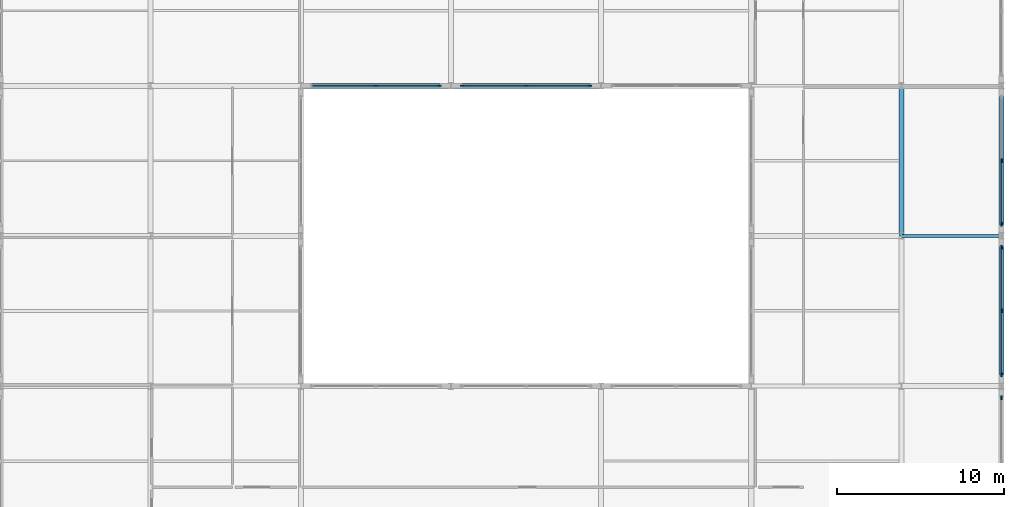
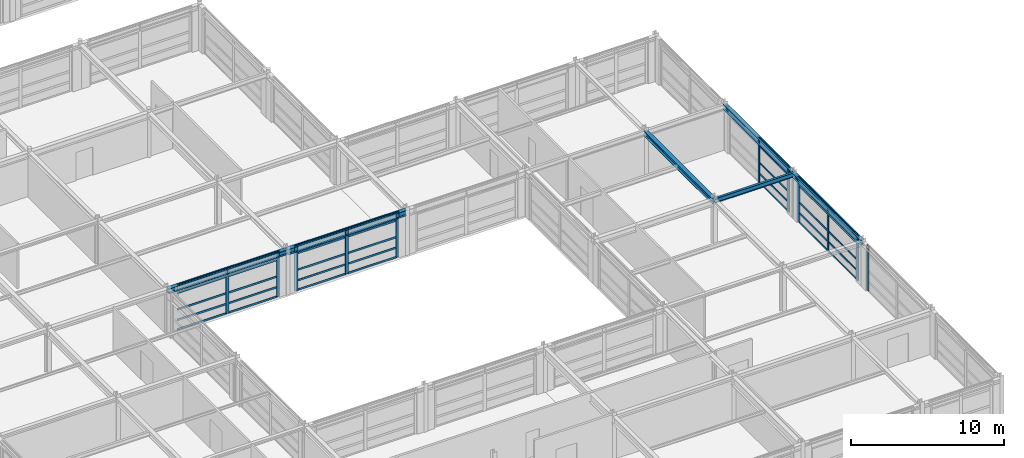
# One storey, part 43 of 79: 46 members, 6 beams, 5 elements without a shape of their own.
"""IFC4 building model written with IfcOpenShell, lengths in metres."""

from ifc_helpers import new_model, si_unit, direction, frame, origin, origin_2d, place, context, subcontext, project, spatial, rectangle, i_section, extrude, material, material_profile, profile_set, type_object, element, aggregate, save


model = new_model("IFC4")

# Units and contexts
model_context = context("Model", 3, precision=1e-05, world=origin(), true_north=direction((0.0, 1.0)))
body_context = subcontext(model_context, "Body", "Model", "MODEL_VIEW")
ifc_project = project(units=[si_unit("LENGTHUNIT", "METRE"), si_unit("AREAUNIT", "SQUARE_METRE"), si_unit("VOLUMEUNIT", "CUBIC_METRE"), si_unit("PLANEANGLEUNIT", "RADIAN"), si_unit("MASSUNIT", "GRAM", prefix="KILO")], contexts=[model_context])

# Site, building, storey
site_placement = place(None, origin())
site = spatial("IfcSite", under=ifc_project, at=site_placement, CompositionType="ELEMENT")
building_placement = place(site_placement, origin())
building = spatial("IfcBuilding", under=site, at=building_placement, Name="Palais des Congres Ocreval", CompositionType="ELEMENT")
storey_placement = place(building_placement, frame((0.0, 0.0, 4.320068359375)))
storey = spatial("IfcBuildingStorey", under=building, at=storey_placement, Name="L01", CompositionType="ELEMENT", Elevation=4.320068359375)

# Beam
ifc_material_1 = material(Name="Steel S355", Category="steel")
ifc_material_profile_1 = material_profile(ifc_material_1, i_section(OverallWidth=0.169921875, OverallDepth=0.360107421875, WebThickness=0.008056640625, FlangeThickness=0.0126953125, at=origin_2d()), Name="IPE 360")
ifc_profile_set_1 = profile_set([ifc_material_profile_1], Name="Steel S355")
beam_type_1 = type_object("IfcBeamType", Name="Composite Beam IPE 360 Steel S355", PredefinedType="BEAM", material=ifc_profile_set_1)
beam_1_placement = place(storey_placement, frame((162.02001953125, 27.0, 3.39990234375), z_axis=(1.0, 0.0, 0.0), x_axis=(0.0, 1.0, 0.0)))
element("IfcBeam", 1, at=beam_1_placement, inside=storey, type_object=beam_type_1, Name="Beam B01 L01", PredefinedType="BEAM", context=body_context, shape_type="SweptSolid", body=[
    extrude(i_section(OverallWidth=0.169921875, OverallDepth=0.360107421875, WebThickness=0.008056640625, FlangeThickness=0.0126953125, at=origin_2d()), origin(), (0.0, 0.0, 1.0), 5.9599609375),
])

# Curtain wall, members
ifc_material_2 = material(Name="Anodized bronze aluminium and low-E glass", Category="glass")
curtain_wall_type = type_object("IfcCurtainWallType", Name="Unitised Curtain Wall 7900x3660", PredefinedType="USERDEFINED", material=ifc_material_2)
curtain_wall_1_placement = place(storey_placement, origin())
curtain_wall_1 = element("IfcCurtainWall", 2, at=curtain_wall_1_placement, inside=storey, type_object=curtain_wall_type, Name="Unitised Curtain Wall CW02 L01", ObjectType="UNITISED CURTAIN WALL", PredefinedType="USERDEFINED")
ifc_material_3 = material(Name="Anodized bronze aluminium", Category="aluminium")
ifc_material_profile_2 = material_profile(ifc_material_3, rectangle(XDim=0.074951171875, YDim=0.239990234375, at=origin_2d()), Name="ALU 75x240")
ifc_profile_set_2 = profile_set([ifc_material_profile_2], Name="Anodized bronze aluminium")
member_type_1 = type_object("IfcMemberType", Name="Curtain Wall Mullion ALU 75x240", PredefinedType="MULLION", material=ifc_profile_set_2)
member_1_placement = place(storey_placement, frame((168.0, 31.5, 0.0), z_axis=(0.0, 0.0, 1.0), x_axis=(1.0, 0.0, 0.0)))
member_1 = element("IfcMember", 3, at=member_1_placement, type_object=member_type_1, Name="Curtain Wall Mullion ML01", PredefinedType="MULLION", context=body_context, shape_type="SweptSolid", body=[
    extrude(rectangle(XDim=0.074951171875, YDim=0.239990234375, at=origin_2d()), origin(), (0.0, 0.0, 1.0), 3.599853515625),
])
member_2_placement = place(storey_placement, frame((168.0, 27.6875, 0.0), z_axis=(0.0, 0.0, 1.0), x_axis=(1.0, 0.0, 0.0)))
member_2 = element("IfcMember", 4, at=member_2_placement, type_object=member_type_1, Name="Curtain Wall Mullion ML01", PredefinedType="MULLION", context=body_context, shape_type="SweptSolid", body=[
    extrude(rectangle(XDim=0.074951171875, YDim=0.239990234375, at=origin_2d()), origin(), (0.0, 0.0, 1.0), 3.599853515625),
])

curtain_wall_2_placement = place(storey_placement, origin())
curtain_wall_2 = element("IfcCurtainWall", 5, at=curtain_wall_2_placement, inside=storey, type_object=curtain_wall_type, Name="Unitised Curtain Wall CW02 L01", ObjectType="UNITISED CURTAIN WALL", PredefinedType="USERDEFINED")
member_3_placement = place(storey_placement, frame((168.0, 26.3125, 0.0), z_axis=(0.0, 0.0, 1.0), x_axis=(1.0, 0.0, 0.0)))
member_3 = element("IfcMember", 6, at=member_3_placement, type_object=member_type_1, Name="Curtain Wall Mullion ML01", PredefinedType="MULLION", context=body_context, shape_type="SweptSolid", body=[
    extrude(rectangle(XDim=0.074951171875, YDim=0.239990234375, at=origin_2d()), origin(), (0.0, 0.0, 1.0), 3.599853515625),
])
member_4_placement = place(storey_placement, frame((168.0, 22.5, 0.0), z_axis=(0.0, 0.0, 1.0), x_axis=(1.0, 0.0, 0.0)))
member_4 = element("IfcMember", 7, at=member_4_placement, type_object=member_type_1, Name="Curtain Wall Mullion ML01", PredefinedType="MULLION", context=body_context, shape_type="SweptSolid", body=[
    extrude(rectangle(XDim=0.074951171875, YDim=0.239990234375, at=origin_2d()), origin(), (0.0, 0.0, 1.0), 3.599853515625),
])
member_5_placement = place(storey_placement, frame((168.0, 18.6875, 0.0), z_axis=(0.0, 0.0, 1.0), x_axis=(1.0, 0.0, 0.0)))
member_5 = element("IfcMember", 8, at=member_5_placement, type_object=member_type_1, Name="Curtain Wall Mullion ML01", PredefinedType="MULLION", context=body_context, shape_type="SweptSolid", body=[
    extrude(rectangle(XDim=0.074951171875, YDim=0.239990234375, at=origin_2d()), origin(), (0.0, 0.0, 1.0), 3.599853515625),
])

# Curtain wall, member
curtain_wall_3_placement = place(storey_placement, origin())
curtain_wall_3 = element("IfcCurtainWall", 9, at=curtain_wall_3_placement, inside=storey, type_object=curtain_wall_type, Name="Unitised Curtain Wall CW02 L01", ObjectType="UNITISED CURTAIN WALL", PredefinedType="USERDEFINED")
member_6_placement = place(storey_placement, frame((168.0, 17.3125, 0.0), z_axis=(0.0, 0.0, 1.0), x_axis=(1.0, 0.0, 0.0)))
member_6 = element("IfcMember", 10, at=member_6_placement, type_object=member_type_1, Name="Curtain Wall Mullion ML01", PredefinedType="MULLION", context=body_context, shape_type="SweptSolid", body=[
    extrude(rectangle(XDim=0.074951171875, YDim=0.239990234375, at=origin_2d()), origin(), (0.0, 0.0, 1.0), 3.599853515625),
])
aggregate(curtain_wall_3, [member_6])

# Curtain wall, members
curtain_wall_4_placement = place(storey_placement, origin())
curtain_wall_4 = element("IfcCurtainWall", 11, at=curtain_wall_4_placement, inside=storey, type_object=curtain_wall_type, Name="Unitised Curtain Wall CW02 L01", ObjectType="UNITISED CURTAIN WALL", PredefinedType="USERDEFINED")
member_7_placement = place(storey_placement, frame((143.3125, 36.0, 0.0), z_axis=(0.0, 0.0, 1.0), x_axis=(0.0, -1.0, 0.0)))
member_7 = element("IfcMember", 12, at=member_7_placement, type_object=member_type_1, Name="Curtain Wall Mullion ML01", PredefinedType="MULLION", context=body_context, shape_type="SweptSolid", body=[
    extrude(rectangle(XDim=0.074951171875, YDim=0.239990234375, at=origin_2d()), origin(), (0.0, 0.0, 1.0), 3.599853515625),
])
member_8_placement = place(storey_placement, frame((139.5, 36.0, 0.0), z_axis=(0.0, 0.0, 1.0), x_axis=(0.0, -1.0, 0.0)))
member_8 = element("IfcMember", 13, at=member_8_placement, type_object=member_type_1, Name="Curtain Wall Mullion ML01", PredefinedType="MULLION", context=body_context, shape_type="SweptSolid", body=[
    extrude(rectangle(XDim=0.074951171875, YDim=0.239990234375, at=origin_2d()), origin(), (0.0, 0.0, 1.0), 3.599853515625),
])
member_9_placement = place(storey_placement, frame((135.6875, 36.0, 0.0), z_axis=(0.0, 0.0, 1.0), x_axis=(0.0, -1.0, 0.0)))
member_9 = element("IfcMember", 14, at=member_9_placement, type_object=member_type_1, Name="Curtain Wall Mullion ML01", PredefinedType="MULLION", context=body_context, shape_type="SweptSolid", body=[
    extrude(rectangle(XDim=0.074951171875, YDim=0.239990234375, at=origin_2d()), origin(), (0.0, 0.0, 1.0), 3.599853515625),
])

curtain_wall_5_placement = place(storey_placement, origin())
curtain_wall_5 = element("IfcCurtainWall", 15, at=curtain_wall_5_placement, inside=storey, type_object=curtain_wall_type, Name="Unitised Curtain Wall CW02 L01", ObjectType="UNITISED CURTAIN WALL", PredefinedType="USERDEFINED")
member_10_placement = place(storey_placement, frame((134.3125, 36.0, 0.0), z_axis=(0.0, 0.0, 1.0), x_axis=(0.0, -1.0, 0.0)))
member_10 = element("IfcMember", 16, at=member_10_placement, type_object=member_type_1, Name="Curtain Wall Mullion ML01", PredefinedType="MULLION", context=body_context, shape_type="SweptSolid", body=[
    extrude(rectangle(XDim=0.074951171875, YDim=0.239990234375, at=origin_2d()), origin(), (0.0, 0.0, 1.0), 3.599853515625),
])
member_11_placement = place(storey_placement, frame((130.5, 36.0, 0.0), z_axis=(0.0, 0.0, 1.0), x_axis=(0.0, -1.0, 0.0)))
member_11 = element("IfcMember", 17, at=member_11_placement, type_object=member_type_1, Name="Curtain Wall Mullion ML01", PredefinedType="MULLION", context=body_context, shape_type="SweptSolid", body=[
    extrude(rectangle(XDim=0.074951171875, YDim=0.239990234375, at=origin_2d()), origin(), (0.0, 0.0, 1.0), 3.599853515625),
])

# Member
ifc_material_profile_3 = material_profile(ifc_material_3, rectangle(XDim=0.06005859375, YDim=0.14990234375, at=origin_2d()), Name="ALU 60x150")
ifc_profile_set_3 = profile_set([ifc_material_profile_3], Name="Anodized bronze aluminium")
member_type_2 = type_object("IfcMemberType", Name="Curtain Wall Transom ALU 60x150", PredefinedType="USERDEFINED", material=ifc_profile_set_3)
member_12_placement = place(storey_placement, frame((168.0, 31.46240234375, 0.030029296875), z_axis=(0.0, -1.0, 0.0), x_axis=(1.0, 0.0, 0.0)))
member_12 = element("IfcMember", 18, at=member_12_placement, type_object=member_type_2, Name="Curtain Wall Transom TR01", ObjectType="TRANSOM", PredefinedType="USERDEFINED", context=body_context, shape_type="SweptSolid", body=[
    extrude(rectangle(XDim=0.06005859375, YDim=0.14990234375, at=origin_2d()), origin(), (0.0, 0.0, 1.0), 3.7373046875),
])

member_13_placement = place(storey_placement, frame((168.0, 31.46240234375, 0.780029296875), z_axis=(0.0, -1.0, 0.0), x_axis=(1.0, 0.0, 0.0)))
member_13 = element("IfcMember", 19, at=member_13_placement, type_object=member_type_2, Name="Curtain Wall Transom TR01", ObjectType="TRANSOM", PredefinedType="USERDEFINED", context=body_context, shape_type="SweptSolid", body=[
    extrude(rectangle(XDim=0.06005859375, YDim=0.14990234375, at=origin_2d()), origin(), (0.0, 0.0, 1.0), 3.7373046875),
])

member_14_placement = place(storey_placement, frame((168.0, 31.46240234375, 1.622314453125), z_axis=(0.0, -1.0, 0.0), x_axis=(1.0, 0.0, 0.0)))
member_14 = element("IfcMember", 20, at=member_14_placement, type_object=member_type_2, Name="Curtain Wall Transom TR01", ObjectType="TRANSOM", PredefinedType="USERDEFINED", context=body_context, shape_type="SweptSolid", body=[
    extrude(rectangle(XDim=0.06005859375, YDim=0.14990234375, at=origin_2d()), origin(), (0.0, 0.0, 1.0), 3.7373046875),
])

member_15_placement = place(storey_placement, frame((168.0, 31.46240234375, 2.949951171875), z_axis=(0.0, -1.0, 0.0), x_axis=(1.0, 0.0, 0.0)))
member_15 = element("IfcMember", 21, at=member_15_placement, type_object=member_type_2, Name="Curtain Wall Transom TR01", ObjectType="TRANSOM", PredefinedType="USERDEFINED", context=body_context, shape_type="SweptSolid", body=[
    extrude(rectangle(XDim=0.06005859375, YDim=0.14990234375, at=origin_2d()), origin(), (0.0, 0.0, 1.0), 3.7373046875),
])

member_16_placement = place(storey_placement, frame((168.0, 31.46240234375, 3.56982421875), z_axis=(0.0, -1.0, 0.0), x_axis=(1.0, 0.0, 0.0)))
member_16 = element("IfcMember", 22, at=member_16_placement, type_object=member_type_2, Name="Curtain Wall Transom TR01", ObjectType="TRANSOM", PredefinedType="USERDEFINED", context=body_context, shape_type="SweptSolid", body=[
    extrude(rectangle(XDim=0.06005859375, YDim=0.14990234375, at=origin_2d()), origin(), (0.0, 0.0, 1.0), 3.7373046875),
])

aggregate(curtain_wall_1, [member_1, member_2, member_12, member_13, member_14, member_15, member_16])

member_17_placement = place(storey_placement, frame((168.0, 26.27490234375, 0.030029296875), z_axis=(0.0, -1.0, 0.0), x_axis=(1.0, 0.0, 0.0)))
member_17 = element("IfcMember", 23, at=member_17_placement, type_object=member_type_2, Name="Curtain Wall Transom TR01", ObjectType="TRANSOM", PredefinedType="USERDEFINED", context=body_context, shape_type="SweptSolid", body=[
    extrude(rectangle(XDim=0.06005859375, YDim=0.14990234375, at=origin_2d()), origin(), (0.0, 0.0, 1.0), 3.7373046875),
])

member_18_placement = place(storey_placement, frame((168.0, 26.27490234375, 0.780029296875), z_axis=(0.0, -1.0, 0.0), x_axis=(1.0, 0.0, 0.0)))
member_18 = element("IfcMember", 24, at=member_18_placement, type_object=member_type_2, Name="Curtain Wall Transom TR01", ObjectType="TRANSOM", PredefinedType="USERDEFINED", context=body_context, shape_type="SweptSolid", body=[
    extrude(rectangle(XDim=0.06005859375, YDim=0.14990234375, at=origin_2d()), origin(), (0.0, 0.0, 1.0), 3.7373046875),
])

member_19_placement = place(storey_placement, frame((168.0, 26.27490234375, 1.622314453125), z_axis=(0.0, -1.0, 0.0), x_axis=(1.0, 0.0, 0.0)))
member_19 = element("IfcMember", 25, at=member_19_placement, type_object=member_type_2, Name="Curtain Wall Transom TR01", ObjectType="TRANSOM", PredefinedType="USERDEFINED", context=body_context, shape_type="SweptSolid", body=[
    extrude(rectangle(XDim=0.06005859375, YDim=0.14990234375, at=origin_2d()), origin(), (0.0, 0.0, 1.0), 3.7373046875),
])

member_20_placement = place(storey_placement, frame((168.0, 26.27490234375, 2.949951171875), z_axis=(0.0, -1.0, 0.0), x_axis=(1.0, 0.0, 0.0)))
member_20 = element("IfcMember", 26, at=member_20_placement, type_object=member_type_2, Name="Curtain Wall Transom TR01", ObjectType="TRANSOM", PredefinedType="USERDEFINED", context=body_context, shape_type="SweptSolid", body=[
    extrude(rectangle(XDim=0.06005859375, YDim=0.14990234375, at=origin_2d()), origin(), (0.0, 0.0, 1.0), 3.7373046875),
])

member_21_placement = place(storey_placement, frame((168.0, 26.27490234375, 3.56982421875), z_axis=(0.0, -1.0, 0.0), x_axis=(1.0, 0.0, 0.0)))
member_21 = element("IfcMember", 27, at=member_21_placement, type_object=member_type_2, Name="Curtain Wall Transom TR01", ObjectType="TRANSOM", PredefinedType="USERDEFINED", context=body_context, shape_type="SweptSolid", body=[
    extrude(rectangle(XDim=0.06005859375, YDim=0.14990234375, at=origin_2d()), origin(), (0.0, 0.0, 1.0), 3.7373046875),
])

member_22_placement = place(storey_placement, frame((168.0, 22.46240234375, 0.030029296875), z_axis=(0.0, -1.0, 0.0), x_axis=(1.0, 0.0, 0.0)))
member_22 = element("IfcMember", 28, at=member_22_placement, type_object=member_type_2, Name="Curtain Wall Transom TR01", ObjectType="TRANSOM", PredefinedType="USERDEFINED", context=body_context, shape_type="SweptSolid", body=[
    extrude(rectangle(XDim=0.06005859375, YDim=0.14990234375, at=origin_2d()), origin(), (0.0, 0.0, 1.0), 3.7373046875),
])

member_23_placement = place(storey_placement, frame((168.0, 22.46240234375, 0.780029296875), z_axis=(0.0, -1.0, 0.0), x_axis=(1.0, 0.0, 0.0)))
member_23 = element("IfcMember", 29, at=member_23_placement, type_object=member_type_2, Name="Curtain Wall Transom TR01", ObjectType="TRANSOM", PredefinedType="USERDEFINED", context=body_context, shape_type="SweptSolid", body=[
    extrude(rectangle(XDim=0.06005859375, YDim=0.14990234375, at=origin_2d()), origin(), (0.0, 0.0, 1.0), 3.7373046875),
])

member_24_placement = place(storey_placement, frame((168.0, 22.46240234375, 1.622314453125), z_axis=(0.0, -1.0, 0.0), x_axis=(1.0, 0.0, 0.0)))
member_24 = element("IfcMember", 30, at=member_24_placement, type_object=member_type_2, Name="Curtain Wall Transom TR01", ObjectType="TRANSOM", PredefinedType="USERDEFINED", context=body_context, shape_type="SweptSolid", body=[
    extrude(rectangle(XDim=0.06005859375, YDim=0.14990234375, at=origin_2d()), origin(), (0.0, 0.0, 1.0), 3.7373046875),
])

member_25_placement = place(storey_placement, frame((168.0, 22.46240234375, 2.949951171875), z_axis=(0.0, -1.0, 0.0), x_axis=(1.0, 0.0, 0.0)))
member_25 = element("IfcMember", 31, at=member_25_placement, type_object=member_type_2, Name="Curtain Wall Transom TR01", ObjectType="TRANSOM", PredefinedType="USERDEFINED", context=body_context, shape_type="SweptSolid", body=[
    extrude(rectangle(XDim=0.06005859375, YDim=0.14990234375, at=origin_2d()), origin(), (0.0, 0.0, 1.0), 3.7373046875),
])

member_26_placement = place(storey_placement, frame((168.0, 22.46240234375, 3.56982421875), z_axis=(0.0, -1.0, 0.0), x_axis=(1.0, 0.0, 0.0)))
member_26 = element("IfcMember", 32, at=member_26_placement, type_object=member_type_2, Name="Curtain Wall Transom TR01", ObjectType="TRANSOM", PredefinedType="USERDEFINED", context=body_context, shape_type="SweptSolid", body=[
    extrude(rectangle(XDim=0.06005859375, YDim=0.14990234375, at=origin_2d()), origin(), (0.0, 0.0, 1.0), 3.7373046875),
])

aggregate(curtain_wall_2, [member_3, member_4, member_5, member_17, member_18, member_19, member_20, member_21, member_22, member_23, member_24, member_25, member_26])

member_27_placement = place(storey_placement, frame((143.27490234375, 36.0, 0.030029296875), z_axis=(-1.0, 0.0, 0.0), x_axis=(0.0, -1.0, 0.0)))
member_27 = element("IfcMember", 33, at=member_27_placement, type_object=member_type_2, Name="Curtain Wall Transom TR01", ObjectType="TRANSOM", PredefinedType="USERDEFINED", context=body_context, shape_type="SweptSolid", body=[
    extrude(rectangle(XDim=0.06005859375, YDim=0.14990234375, at=origin_2d()), origin(), (0.0, 0.0, 1.0), 3.7373046875),
])

member_28_placement = place(storey_placement, frame((143.27490234375, 36.0, 0.780029296875), z_axis=(-1.0, 0.0, 0.0), x_axis=(0.0, -1.0, 0.0)))
member_28 = element("IfcMember", 34, at=member_28_placement, type_object=member_type_2, Name="Curtain Wall Transom TR01", ObjectType="TRANSOM", PredefinedType="USERDEFINED", context=body_context, shape_type="SweptSolid", body=[
    extrude(rectangle(XDim=0.06005859375, YDim=0.14990234375, at=origin_2d()), origin(), (0.0, 0.0, 1.0), 3.7373046875),
])

member_29_placement = place(storey_placement, frame((143.27490234375, 36.0, 1.622314453125), z_axis=(-1.0, 0.0, 0.0), x_axis=(0.0, -1.0, 0.0)))
member_29 = element("IfcMember", 35, at=member_29_placement, type_object=member_type_2, Name="Curtain Wall Transom TR01", ObjectType="TRANSOM", PredefinedType="USERDEFINED", context=body_context, shape_type="SweptSolid", body=[
    extrude(rectangle(XDim=0.06005859375, YDim=0.14990234375, at=origin_2d()), origin(), (0.0, 0.0, 1.0), 3.7373046875),
])

member_30_placement = place(storey_placement, frame((143.27490234375, 36.0, 2.949951171875), z_axis=(-1.0, 0.0, 0.0), x_axis=(0.0, -1.0, 0.0)))
member_30 = element("IfcMember", 36, at=member_30_placement, type_object=member_type_2, Name="Curtain Wall Transom TR01", ObjectType="TRANSOM", PredefinedType="USERDEFINED", context=body_context, shape_type="SweptSolid", body=[
    extrude(rectangle(XDim=0.06005859375, YDim=0.14990234375, at=origin_2d()), origin(), (0.0, 0.0, 1.0), 3.7373046875),
])

member_31_placement = place(storey_placement, frame((143.27490234375, 36.0, 3.56982421875), z_axis=(-1.0, 0.0, 0.0), x_axis=(0.0, -1.0, 0.0)))
member_31 = element("IfcMember", 37, at=member_31_placement, type_object=member_type_2, Name="Curtain Wall Transom TR01", ObjectType="TRANSOM", PredefinedType="USERDEFINED", context=body_context, shape_type="SweptSolid", body=[
    extrude(rectangle(XDim=0.06005859375, YDim=0.14990234375, at=origin_2d()), origin(), (0.0, 0.0, 1.0), 3.7373046875),
])

member_32_placement = place(storey_placement, frame((139.46240234375, 36.0, 0.030029296875), z_axis=(-1.0, 0.0, 0.0), x_axis=(0.0, -1.0, 0.0)))
member_32 = element("IfcMember", 38, at=member_32_placement, type_object=member_type_2, Name="Curtain Wall Transom TR01", ObjectType="TRANSOM", PredefinedType="USERDEFINED", context=body_context, shape_type="SweptSolid", body=[
    extrude(rectangle(XDim=0.06005859375, YDim=0.14990234375, at=origin_2d()), origin(), (0.0, 0.0, 1.0), 3.7373046875),
])

member_33_placement = place(storey_placement, frame((139.46240234375, 36.0, 0.780029296875), z_axis=(-1.0, 0.0, 0.0), x_axis=(0.0, -1.0, 0.0)))
member_33 = element("IfcMember", 39, at=member_33_placement, type_object=member_type_2, Name="Curtain Wall Transom TR01", ObjectType="TRANSOM", PredefinedType="USERDEFINED", context=body_context, shape_type="SweptSolid", body=[
    extrude(rectangle(XDim=0.06005859375, YDim=0.14990234375, at=origin_2d()), origin(), (0.0, 0.0, 1.0), 3.7373046875),
])

member_34_placement = place(storey_placement, frame((139.46240234375, 36.0, 1.622314453125), z_axis=(-1.0, 0.0, 0.0), x_axis=(0.0, -1.0, 0.0)))
member_34 = element("IfcMember", 40, at=member_34_placement, type_object=member_type_2, Name="Curtain Wall Transom TR01", ObjectType="TRANSOM", PredefinedType="USERDEFINED", context=body_context, shape_type="SweptSolid", body=[
    extrude(rectangle(XDim=0.06005859375, YDim=0.14990234375, at=origin_2d()), origin(), (0.0, 0.0, 1.0), 3.7373046875),
])

member_35_placement = place(storey_placement, frame((139.46240234375, 36.0, 2.949951171875), z_axis=(-1.0, 0.0, 0.0), x_axis=(0.0, -1.0, 0.0)))
member_35 = element("IfcMember", 41, at=member_35_placement, type_object=member_type_2, Name="Curtain Wall Transom TR01", ObjectType="TRANSOM", PredefinedType="USERDEFINED", context=body_context, shape_type="SweptSolid", body=[
    extrude(rectangle(XDim=0.06005859375, YDim=0.14990234375, at=origin_2d()), origin(), (0.0, 0.0, 1.0), 3.7373046875),
])

member_36_placement = place(storey_placement, frame((139.46240234375, 36.0, 3.56982421875), z_axis=(-1.0, 0.0, 0.0), x_axis=(0.0, -1.0, 0.0)))
member_36 = element("IfcMember", 42, at=member_36_placement, type_object=member_type_2, Name="Curtain Wall Transom TR01", ObjectType="TRANSOM", PredefinedType="USERDEFINED", context=body_context, shape_type="SweptSolid", body=[
    extrude(rectangle(XDim=0.06005859375, YDim=0.14990234375, at=origin_2d()), origin(), (0.0, 0.0, 1.0), 3.7373046875),
])

aggregate(curtain_wall_4, [member_7, member_8, member_9, member_27, member_28, member_29, member_30, member_31, member_32, member_33, member_34, member_35, member_36])

member_37_placement = place(storey_placement, frame((134.27490234375, 36.0, 0.030029296875), z_axis=(-1.0, 0.0, 0.0), x_axis=(0.0, -1.0, 0.0)))
member_37 = element("IfcMember", 43, at=member_37_placement, type_object=member_type_2, Name="Curtain Wall Transom TR01", ObjectType="TRANSOM", PredefinedType="USERDEFINED", context=body_context, shape_type="SweptSolid", body=[
    extrude(rectangle(XDim=0.06005859375, YDim=0.14990234375, at=origin_2d()), origin(), (0.0, 0.0, 1.0), 3.7373046875),
])

member_38_placement = place(storey_placement, frame((134.27490234375, 36.0, 0.780029296875), z_axis=(-1.0, 0.0, 0.0), x_axis=(0.0, -1.0, 0.0)))
member_38 = element("IfcMember", 44, at=member_38_placement, type_object=member_type_2, Name="Curtain Wall Transom TR01", ObjectType="TRANSOM", PredefinedType="USERDEFINED", context=body_context, shape_type="SweptSolid", body=[
    extrude(rectangle(XDim=0.06005859375, YDim=0.14990234375, at=origin_2d()), origin(), (0.0, 0.0, 1.0), 3.7373046875),
])

member_39_placement = place(storey_placement, frame((134.27490234375, 36.0, 1.622314453125), z_axis=(-1.0, 0.0, 0.0), x_axis=(0.0, -1.0, 0.0)))
member_39 = element("IfcMember", 45, at=member_39_placement, type_object=member_type_2, Name="Curtain Wall Transom TR01", ObjectType="TRANSOM", PredefinedType="USERDEFINED", context=body_context, shape_type="SweptSolid", body=[
    extrude(rectangle(XDim=0.06005859375, YDim=0.14990234375, at=origin_2d()), origin(), (0.0, 0.0, 1.0), 3.7373046875),
])

member_40_placement = place(storey_placement, frame((134.27490234375, 36.0, 2.949951171875), z_axis=(-1.0, 0.0, 0.0), x_axis=(0.0, -1.0, 0.0)))
member_40 = element("IfcMember", 46, at=member_40_placement, type_object=member_type_2, Name="Curtain Wall Transom TR01", ObjectType="TRANSOM", PredefinedType="USERDEFINED", context=body_context, shape_type="SweptSolid", body=[
    extrude(rectangle(XDim=0.06005859375, YDim=0.14990234375, at=origin_2d()), origin(), (0.0, 0.0, 1.0), 3.7373046875),
])

member_41_placement = place(storey_placement, frame((134.27490234375, 36.0, 3.56982421875), z_axis=(-1.0, 0.0, 0.0), x_axis=(0.0, -1.0, 0.0)))
member_41 = element("IfcMember", 47, at=member_41_placement, type_object=member_type_2, Name="Curtain Wall Transom TR01", ObjectType="TRANSOM", PredefinedType="USERDEFINED", context=body_context, shape_type="SweptSolid", body=[
    extrude(rectangle(XDim=0.06005859375, YDim=0.14990234375, at=origin_2d()), origin(), (0.0, 0.0, 1.0), 3.7373046875),
])

member_42_placement = place(storey_placement, frame((130.46240234375, 36.0, 0.030029296875), z_axis=(-1.0, 0.0, 0.0), x_axis=(0.0, -1.0, 0.0)))
member_42 = element("IfcMember", 48, at=member_42_placement, type_object=member_type_2, Name="Curtain Wall Transom TR01", ObjectType="TRANSOM", PredefinedType="USERDEFINED", context=body_context, shape_type="SweptSolid", body=[
    extrude(rectangle(XDim=0.06005859375, YDim=0.14990234375, at=origin_2d()), origin(), (0.0, 0.0, 1.0), 3.7373046875),
])

member_43_placement = place(storey_placement, frame((130.46240234375, 36.0, 0.780029296875), z_axis=(-1.0, 0.0, 0.0), x_axis=(0.0, -1.0, 0.0)))
member_43 = element("IfcMember", 49, at=member_43_placement, type_object=member_type_2, Name="Curtain Wall Transom TR01", ObjectType="TRANSOM", PredefinedType="USERDEFINED", context=body_context, shape_type="SweptSolid", body=[
    extrude(rectangle(XDim=0.06005859375, YDim=0.14990234375, at=origin_2d()), origin(), (0.0, 0.0, 1.0), 3.7373046875),
])

member_44_placement = place(storey_placement, frame((130.46240234375, 36.0, 1.622314453125), z_axis=(-1.0, 0.0, 0.0), x_axis=(0.0, -1.0, 0.0)))
member_44 = element("IfcMember", 50, at=member_44_placement, type_object=member_type_2, Name="Curtain Wall Transom TR01", ObjectType="TRANSOM", PredefinedType="USERDEFINED", context=body_context, shape_type="SweptSolid", body=[
    extrude(rectangle(XDim=0.06005859375, YDim=0.14990234375, at=origin_2d()), origin(), (0.0, 0.0, 1.0), 3.7373046875),
])

member_45_placement = place(storey_placement, frame((130.46240234375, 36.0, 2.949951171875), z_axis=(-1.0, 0.0, 0.0), x_axis=(0.0, -1.0, 0.0)))
member_45 = element("IfcMember", 51, at=member_45_placement, type_object=member_type_2, Name="Curtain Wall Transom TR01", ObjectType="TRANSOM", PredefinedType="USERDEFINED", context=body_context, shape_type="SweptSolid", body=[
    extrude(rectangle(XDim=0.06005859375, YDim=0.14990234375, at=origin_2d()), origin(), (0.0, 0.0, 1.0), 3.7373046875),
])

member_46_placement = place(storey_placement, frame((130.46240234375, 36.0, 3.56982421875), z_axis=(-1.0, 0.0, 0.0), x_axis=(0.0, -1.0, 0.0)))
member_46 = element("IfcMember", 52, at=member_46_placement, type_object=member_type_2, Name="Curtain Wall Transom TR01", ObjectType="TRANSOM", PredefinedType="USERDEFINED", context=body_context, shape_type="SweptSolid", body=[
    extrude(rectangle(XDim=0.06005859375, YDim=0.14990234375, at=origin_2d()), origin(), (0.0, 0.0, 1.0), 3.7373046875),
])

aggregate(curtain_wall_5, [member_10, member_11, member_37, member_38, member_39, member_40, member_41, member_42, member_43, member_44, member_45, member_46])

# Beams
ifc_material_profile_4 = material_profile(ifc_material_1, i_section(OverallWidth=0.300048828125, OverallDepth=0.360107421875, WebThickness=0.012451171875, FlangeThickness=0.0224609375, at=origin_2d()), Name="HEB 360")
ifc_profile_set_4 = profile_set([ifc_material_profile_4], Name="Steel S355")
beam_type_2 = type_object("IfcBeamType", Name="Perimeter Spandrel HEB 360 Steel S355", PredefinedType="SPANDREL", material=ifc_profile_set_4)
beam_2_placement = place(storey_placement, frame((168.0, 18.02001953125, 3.39990234375), z_axis=(0.0, 1.0, 0.0), x_axis=(-1.0, 0.0, 0.0)))
element("IfcBeam", 53, at=beam_2_placement, inside=storey, type_object=beam_type_2, Name="Girder SP03 L01", PredefinedType="SPANDREL", context=body_context, shape_type="SweptSolid", body=[
    extrude(i_section(OverallWidth=0.300048828125, OverallDepth=0.360107421875, WebThickness=0.012451171875, FlangeThickness=0.0224609375, at=origin_2d()), origin(), (0.0, 0.0, 1.0), 8.9599609375),
])
ifc_material_profile_5 = material_profile(ifc_material_1, i_section(OverallWidth=0.300048828125, OverallDepth=0.39990234375, WebThickness=0.013427734375, FlangeThickness=0.02392578125, at=origin_2d()), Name="HEB 400")
ifc_profile_set_5 = profile_set([ifc_material_profile_5], Name="Steel S355")
beam_type_3 = type_object("IfcBeamType", Name="Perimeter Spandrel HEB 400 Steel S355", PredefinedType="SPANDREL", material=ifc_profile_set_5)
for number, where, z_axis, x_axis, name in (
    (54, (162.0, 27.02001953125, 3.3798828125), (0.0, 1.0, 0.0), (-1.0, 0.0, 0.0), "Girder SP04 L01"),
    (55, (168.0, 27.02001953125, 3.3798828125), (0.0, 1.0, 0.0), (-1.0, 0.0, 0.0), "Girder SP04 L01"),
):
    element("IfcBeam", number, at=place(storey_placement, frame(where, z_axis=z_axis, x_axis=x_axis)), inside=storey, type_object=beam_type_3, Name=name, PredefinedType="SPANDREL", context=body_context, shape_type="SweptSolid", body=[
        extrude(i_section(OverallWidth=0.300048828125, OverallDepth=0.39990234375, WebThickness=0.013427734375, FlangeThickness=0.02392578125, at=origin_2d()), origin(), (0.0, 0.0, 1.0), 8.9599609375),
    ])
ifc_material_profile_6 = material_profile(ifc_material_1, i_section(OverallWidth=0.300048828125, OverallDepth=0.389892578125, WebThickness=0.010986328125, FlangeThickness=0.01904296875, at=origin_2d()), Name="HEA 400")
ifc_profile_set_6 = profile_set([ifc_material_profile_6], Name="Steel S355")
beam_type_4 = type_object("IfcBeamType", Name="Primary Beam HEA 400 Steel S355", PredefinedType="BEAM", material=ifc_profile_set_6)
beam_3_placement = place(storey_placement, frame((126.02001953125, 36.0, 3.385009765625), z_axis=(1.0, 0.0, 0.0), x_axis=(0.0, 1.0, 0.0)))
element("IfcBeam", 56, at=beam_3_placement, inside=storey, type_object=beam_type_4, Name="Beam B10 L01", PredefinedType="BEAM", context=body_context, shape_type="SweptSolid", body=[
    extrude(i_section(OverallWidth=0.300048828125, OverallDepth=0.389892578125, WebThickness=0.010986328125, FlangeThickness=0.01904296875, at=origin_2d()), origin(), (0.0, 0.0, 1.0), 8.9599609375),
])
ifc_material_profile_7 = material_profile(ifc_material_1, i_section(OverallWidth=0.300048828125, OverallDepth=0.43994140625, WebThickness=0.011474609375, FlangeThickness=0.02099609375, at=origin_2d()), Name="HEA 450")
ifc_profile_set_7 = profile_set([ifc_material_profile_7], Name="Steel S355")
beam_type_5 = type_object("IfcBeamType", Name="Primary Beam HEA 450 Steel S355", PredefinedType="BEAM", material=ifc_profile_set_7)
beam_4_placement = place(storey_placement, frame((135.02001953125, 36.0, 3.35986328125), z_axis=(1.0, 0.0, 0.0), x_axis=(0.0, 1.0, 0.0)))
element("IfcBeam", 57, at=beam_4_placement, inside=storey, type_object=beam_type_5, Name="Beam B11 L01", PredefinedType="BEAM", context=body_context, shape_type="SweptSolid", body=[
    extrude(i_section(OverallWidth=0.300048828125, OverallDepth=0.43994140625, WebThickness=0.011474609375, FlangeThickness=0.02099609375, at=origin_2d()), origin(), (0.0, 0.0, 1.0), 8.9599609375),
])

save(model, "model.ifc")
